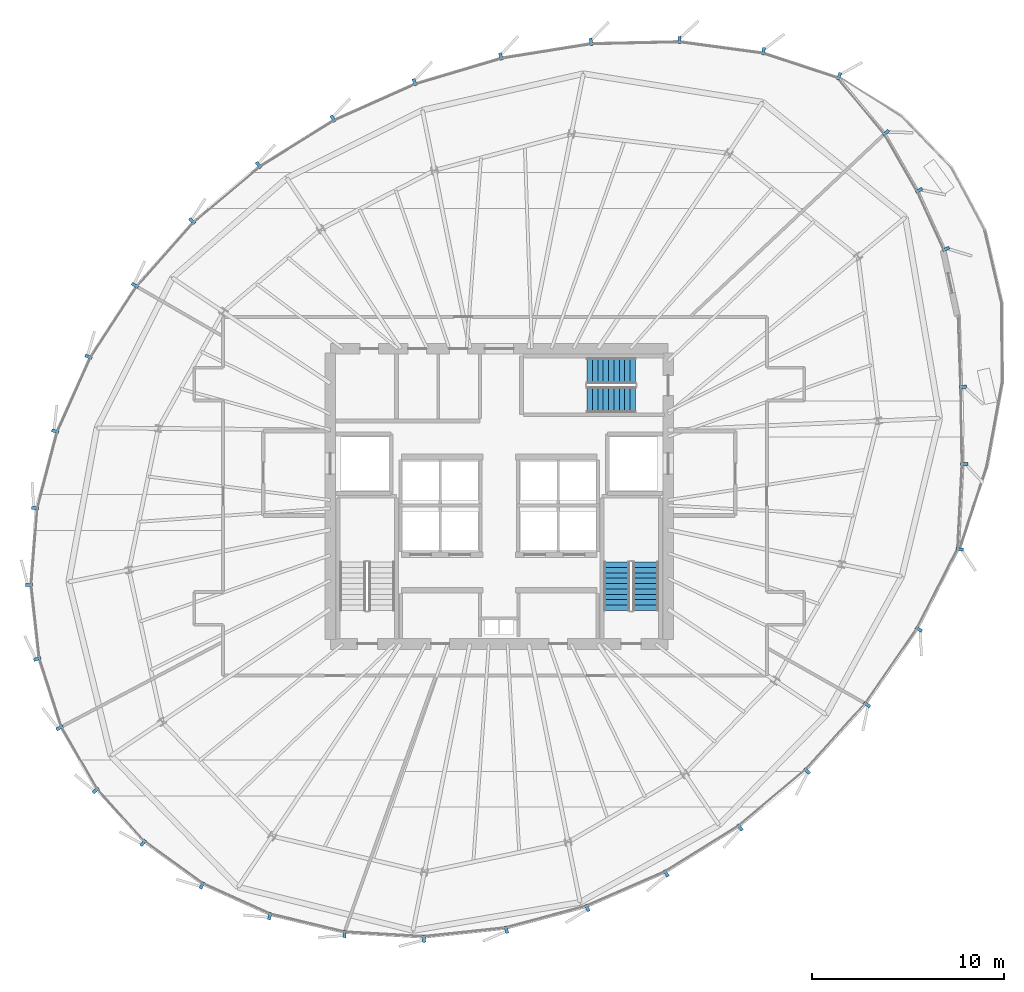
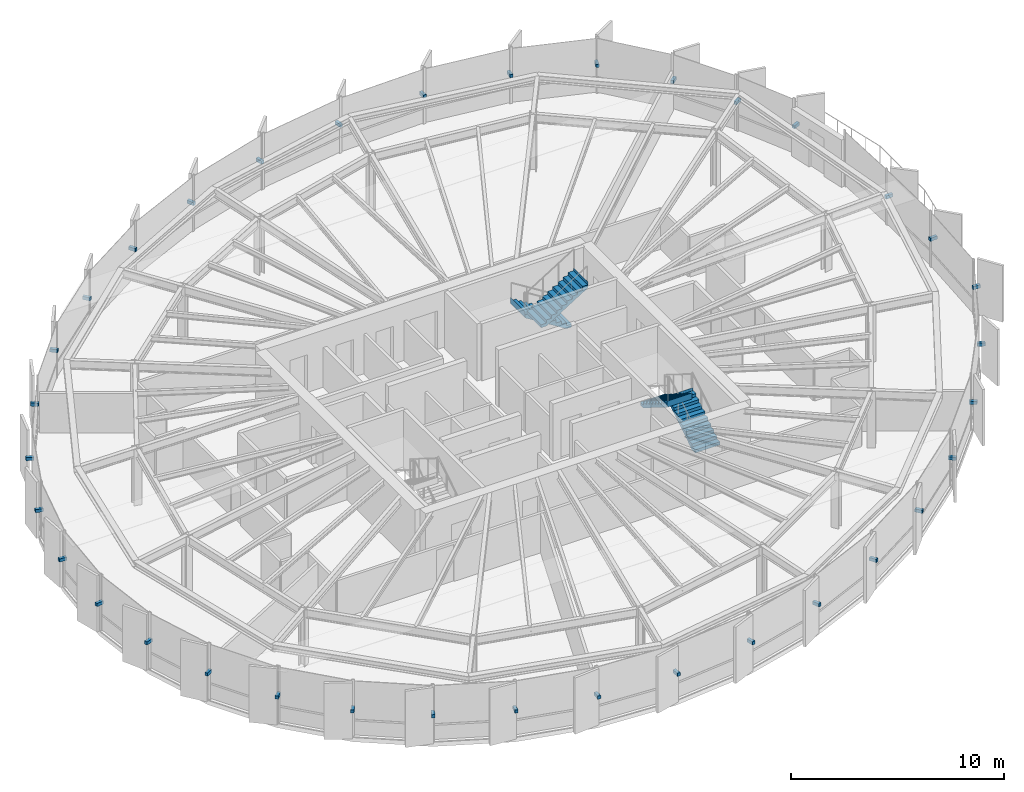
# One storey, part 32 of 35: 35 discrete accessories, 4 stair flights, 2 elements without a shape of their own.
"""IFC4 building model written with IfcOpenShell, lengths in metres."""

from ifc_helpers import new_model, si_unit, direction, frame, origin, origin_2d, place, context, subcontext, project, spatial, polyline, rectangle, outline, extrude, source, transform, mapped, material, type_object, element, aggregate, save


model = new_model("IFC4")

# Units and contexts
model_context = context("Model", 3, precision=1e-05, world=origin(), true_north=direction((0.0, 1.0)))
body_context = subcontext(model_context, "Body", "Model", "MODEL_VIEW")
ifc_project = project(units=[si_unit("LENGTHUNIT", "METRE"), si_unit("AREAUNIT", "SQUARE_METRE"), si_unit("VOLUMEUNIT", "CUBIC_METRE"), si_unit("PLANEANGLEUNIT", "RADIAN"), si_unit("MASSUNIT", "GRAM", prefix="KILO"), si_unit("THERMODYNAMICTEMPERATUREUNIT", "KELVIN")], contexts=[model_context])

# Site, building, storey
site_placement = place(None, origin())
site = spatial("IfcSite", under=ifc_project, at=site_placement, CompositionType="ELEMENT")
building_placement = place(site_placement, origin())
building = spatial("IfcBuilding", under=site, at=building_placement, Name="Kethvar Cultural Tower", CompositionType="ELEMENT")
storey_placement = place(building_placement, frame((0.0, 0.0, 179.89990234375)))
storey = spatial("IfcBuildingStorey", under=building, at=storey_placement, Name="L46", CompositionType="ELEMENT", Elevation=179.89990234375)

# Stair, stair flights
ifc_material_1 = material(Name="Concrete C40/50", Category="concrete")
stair_type = type_object("IfcStairType", Name="ST-DOGLEG-135", PredefinedType="HALF_TURN_STAIR", material=ifc_material_1)
stair_1_placement = place(storey_placement, origin())
stair_1 = element("IfcStair", 1, at=stair_1_placement, inside=storey, type_object=stair_type, Name="L46 Core Exit Stair 2", PredefinedType="HALF_TURN_STAIR")
stair_flight_type = type_object("IfcStairFlightType", Name="FL-STRAIGHT-135", PredefinedType="STRAIGHT", material=ifc_material_1)
stair_flight_1_placement = place(storey_placement, frame((54.43505859375, 21.85009765625, 0.0), z_axis=(0.0, 0.0, 1.0), x_axis=(0.0, 1.0, 0.0)))
stair_flight_1 = element("IfcStairFlight", 2, at=stair_flight_1_placement, type_object=stair_flight_type, Name="ST-02 flight 1", NumberOfRisers=10, NumberOfTreads=9, PredefinedType="STRAIGHT", RiserHeight=0.175, TreadLength=0.28, context=body_context, shape_type="SweptSolid", body=[
    extrude(outline(polyline([(-0.0009765625, -0.0009765625), (-0.0009765625, 0.175048828125), (0.280029296875, 0.175048828125), (0.280029296875, 0.35009765625), (0.56005859375, 0.35009765625), (0.56005859375, 0.52490234375), (0.840087890625, 0.52490234375), (0.840087890625, 0.699951171875), (1.1201171875, 0.699951171875), (1.1201171875, 0.875), (1.39990234375, 0.875), (1.39990234375, 1.050048828125), (1.679931640625, 1.050048828125), (1.679931640625, 1.22509765625), (1.9599609375, 1.22509765625), (1.9599609375, 1.39990234375), (2.239990234375, 1.39990234375), (2.239990234375, 1.574951171875), (2.52001953125, 1.574951171875), (2.52001953125, 1.75), (2.52099609375, 1.75), (2.52099609375, 1.398193359375), (0.28271484375, 0.0), (0.0, -0.0009765625), (-0.0009765625, -0.0009765625)])), frame((0.0, 0.675048828125, 0.0), z_axis=(0.0, -1.0, 0.0), x_axis=(1.0, 0.0, 0.0)), (0.0, 0.0, 1.0), 1.35009765625),
])
stair_flight_2_placement = place(storey_placement, frame((52.925048828125, 24.3701171875, 1.75), z_axis=(0.0, 0.0, 1.0), x_axis=(0.0, -1.0, 0.0)))
stair_flight_2 = element("IfcStairFlight", 3, at=stair_flight_2_placement, type_object=stair_flight_type, Name="ST-02 flight 2", NumberOfRisers=10, NumberOfTreads=9, PredefinedType="STRAIGHT", RiserHeight=0.175, TreadLength=0.28, context=body_context, shape_type="SweptSolid", body=[
    extrude(outline(polyline([(-0.0009765625, -0.0009765625), (-0.0009765625, 0.175048828125), (0.280029296875, 0.175048828125), (0.280029296875, 0.35009765625), (0.56005859375, 0.35009765625), (0.56005859375, 0.52490234375), (0.840087890625, 0.52490234375), (0.840087890625, 0.699951171875), (1.1201171875, 0.699951171875), (1.1201171875, 0.875), (1.39990234375, 0.875), (1.39990234375, 1.050048828125), (1.679931640625, 1.050048828125), (1.679931640625, 1.22509765625), (1.9599609375, 1.22509765625), (1.9599609375, 1.39990234375), (2.239990234375, 1.39990234375), (2.239990234375, 1.574951171875), (2.52001953125, 1.574951171875), (2.52001953125, 1.75), (2.52099609375, 1.75), (2.52099609375, 1.398193359375), (0.28271484375, 0.0), (0.0, -0.0009765625), (-0.0009765625, -0.0009765625)])), frame((0.0, 0.675048828125, 0.0), z_axis=(0.0, -1.0, 0.0), x_axis=(1.0, 0.0, 0.0)), (0.0, 0.0, 1.0), 1.35009765625),
])
aggregate(stair_1, [stair_flight_1, stair_flight_2])

stair_2_placement = place(storey_placement, origin())
stair_2 = element("IfcStair", 4, at=stair_2_placement, inside=storey, type_object=stair_type, Name="L46 Core Exit Stair 3", PredefinedType="HALF_TURN_STAIR")
stair_flight_3_placement = place(storey_placement, frame((53.89990234375, 34.3349609375, 0.0), z_axis=(0.0, 0.0, 1.0), x_axis=(-1.0, 0.0, 0.0)))
stair_flight_3 = element("IfcStairFlight", 5, at=stair_flight_3_placement, type_object=stair_flight_type, Name="ST-03 flight 1", NumberOfRisers=10, NumberOfTreads=9, PredefinedType="STRAIGHT", RiserHeight=0.175, TreadLength=0.28, context=body_context, shape_type="SweptSolid", body=[
    extrude(outline(polyline([(-0.0009765625, -0.0009765625), (-0.0009765625, 0.175048828125), (0.280029296875, 0.175048828125), (0.280029296875, 0.35009765625), (0.56005859375, 0.35009765625), (0.56005859375, 0.52490234375), (0.840087890625, 0.52490234375), (0.840087890625, 0.699951171875), (1.1201171875, 0.699951171875), (1.1201171875, 0.875), (1.39990234375, 0.875), (1.39990234375, 1.050048828125), (1.679931640625, 1.050048828125), (1.679931640625, 1.22509765625), (1.9599609375, 1.22509765625), (1.9599609375, 1.39990234375), (2.239990234375, 1.39990234375), (2.239990234375, 1.574951171875), (2.52001953125, 1.574951171875), (2.52001953125, 1.75), (2.52099609375, 1.75), (2.52099609375, 1.398193359375), (0.28271484375, 0.0), (0.0, -0.0009765625), (-0.0009765625, -0.0009765625)])), frame((0.0, 0.675048828125, 0.0), z_axis=(0.0, -1.0, 0.0), x_axis=(1.0, 0.0, 0.0)), (0.0, 0.0, 1.0), 1.35009765625),
])
stair_flight_4_placement = place(storey_placement, frame((51.3798828125, 32.824951171875, 1.75), z_axis=(0.0, 0.0, 1.0), x_axis=(1.0, 0.0, 0.0)))
stair_flight_4 = element("IfcStairFlight", 6, at=stair_flight_4_placement, type_object=stair_flight_type, Name="ST-03 flight 2", NumberOfRisers=10, NumberOfTreads=9, PredefinedType="STRAIGHT", RiserHeight=0.175, TreadLength=0.28, context=body_context, shape_type="SweptSolid", body=[
    extrude(outline(polyline([(-0.0009765625, -0.0009765625), (-0.0009765625, 0.175048828125), (0.280029296875, 0.175048828125), (0.280029296875, 0.35009765625), (0.56005859375, 0.35009765625), (0.56005859375, 0.52490234375), (0.840087890625, 0.52490234375), (0.840087890625, 0.699951171875), (1.1201171875, 0.699951171875), (1.1201171875, 0.875), (1.39990234375, 0.875), (1.39990234375, 1.050048828125), (1.679931640625, 1.050048828125), (1.679931640625, 1.22509765625), (1.9599609375, 1.22509765625), (1.9599609375, 1.39990234375), (2.239990234375, 1.39990234375), (2.239990234375, 1.574951171875), (2.52001953125, 1.574951171875), (2.52001953125, 1.75), (2.52099609375, 1.75), (2.52099609375, 1.398193359375), (0.28271484375, 0.0), (0.0, -0.0009765625), (-0.0009765625, -0.0009765625)])), frame((0.0, 0.675048828125, 0.0), z_axis=(0.0, -1.0, 0.0), x_axis=(1.0, 0.0, 0.0)), (0.0, 0.0, 1.0), 1.35009765625),
])
aggregate(stair_2, [stair_flight_3, stair_flight_4])

# Discrete accessories
ifc_material_2 = material(Name="Steel S355J2", Category="steel")
discrete_accessory_type = type_object("IfcDiscreteAccessoryType", Name="Steel Fin Bracket BRK-01", PredefinedType="BRACKET", material=ifc_material_2)
shared_shape = source(origin(), body_context, "Body", "SweptSolid", [
    extrude(rectangle(XDim=0.3798828125, YDim=0.159912109375, at=origin_2d()), origin(), (0.0, 0.0, 1.0), 0.179931640625),
])
for number, where, z_axis, x_axis, name in (
    (7, (68.68310546875, 43.74560546875, 1.5400390625), (0.0, 0.0, 1.0), (0.867157637662, 0.498033765367, 0.0), "L46 Terracotta Fin Bracket 1.1"),
    (8, (66.9580078125, 46.748046875, 1.5400390625), (0.0, 0.0, 1.0), (0.77017938275, 0.637827342144, 0.0), "L46 Terracotta Fin Bracket 1.2"),
    (9, (64.5146484375, 49.69677734375, 1.5400390625), (0.0, 0.0, 1.0), (0.31382674518, 0.949480265203, 0.0), "L46 Terracotta Fin Bracket 1.3"),
    (10, (60.571533203125, 50.99951171875, 1.5400390625), (0.0, 0.0, 1.0), (0.133294316036, 0.991076498214, 0.0), "L46 Terracotta Fin Bracket 1.4"),
    (11, (56.197265625, 51.588134765625, 1.5400390625), (0.0, 0.0, 1.0), (-0.021989376093, 0.999758204437, 0.0), "L46 Terracotta Fin Bracket 1.5"),
    (12, (51.583251953125, 51.48681640625, 1.5400390625), (0.0, 0.0, 1.0), (-0.158675054211, 0.987330860032, 0.0), "L46 Terracotta Fin Bracket 1.6"),
    (13, (46.884765625, 50.726318359375, 1.5400390625), (0.0, 0.0, 1.0), (-0.285353832322, 0.958422240132, 0.0), "L46 Terracotta Fin Bracket 2.1"),
    (14, (42.390380859375, 49.38818359375, 1.5400390625), (0.0, 0.0, 1.0), (-0.408011796273, 0.912976655837, 0.0), "L46 Terracotta Fin Bracket 2.2"),
    (15, (38.134033203125, 47.485595703125, 1.5400390625), (0.0, 0.0, 1.0), (-0.528882782801, 0.848694881602, 0.0), "L46 Terracotta Fin Bracket 2.3"),
    (16, (34.25390625, 45.067138671875, 1.5400390625), (0.0, 0.0, 1.0), (-0.644123629761, 0.764921400918, 0.0), "L46 Terracotta Fin Bracket 2.4"),
    (17, (30.787353515625, 42.147705078125, 1.5400390625), (0.0, 0.0, 1.0), (-0.747682202125, 0.664056717928, 0.0), "L46 Terracotta Fin Bracket 2.5"),
    (18, (27.807373046875, 38.79248046875, 1.5400390625), (0.0, 0.0, 1.0), (-0.837909291125, 0.545809508754, 0.0), "L46 Terracotta Fin Bracket 2.6"),
    (19, (25.38818359375, 35.0673828125, 1.5400390625), (0.0, 0.0, 1.0), (-0.912548886365, 0.408967639299, 0.0), "L46 Terracotta Fin Bracket 3.1"),
    (20, (23.651123046875, 31.191650390625, 1.5400390625), (0.0, 0.0, 1.0), (-0.96744467351, 0.253082602519, 0.0), "L46 Terracotta Fin Bracket 3.2"),
    (21, (22.6015625, 27.177001953125, 1.5400390625), (0.0, 0.0, 1.0), (-0.996917333733, 0.078459095728, 0.0), "L46 Terracotta Fin Bracket 3.3"),
    (22, (22.286865234375, 23.181396484375, 1.5400390625), (0.0, 0.0, 1.0), (-0.993826147931, -0.110948581284, 0.0), "L46 Terracotta Fin Bracket 3.4"),
    (23, (22.71728515625, 19.325927734375, 1.5400390625), (0.0, 0.0, 1.0), (-0.951594403879, -0.3073566178, 0.0), "L46 Terracotta Fin Bracket 3.5"),
    (24, (23.8798828125, 15.727783203125, 1.5400390625), (0.0, 0.0, 1.0), (-0.866809733209, -0.498639034186, 0.0), "L46 Terracotta Fin Bracket 3.6"),
    (25, (25.764892578125, 12.4677734375, 1.5400390625), (0.0, 0.0, 1.0), (-0.742092841193, -0.670297109534, 0.0), "L46 Terracotta Fin Bracket 4.1"),
    (26, (28.237548828125, 9.730712890625, 1.5400390625), (0.0, 0.0, 1.0), (-0.586372356736, -0.810041640446, 0.0), "L46 Terracotta Fin Bracket 4.2"),
    (27, (31.300537109375, 7.513671875, 1.5400390625), (0.0, 0.0, 1.0), (-0.412627540369, -0.910899836935, 0.0), "L46 Terracotta Fin Bracket 4.3"),
    (28, (34.834228515625, 5.913330078125, 1.5400390625), (0.0, 0.0, 1.0), (-0.233445363856, -0.972369920398, 0.0), "L46 Terracotta Fin Bracket 4.4"),
    (29, (38.731689453125, 4.97802734375, 1.5400390625), (0.0, 0.0, 1.0), (-0.058260986945, -0.998301386055, 0.0), "L46 Terracotta Fin Bracket 4.5"),
    (30, (42.873779296875, 4.736083984375, 1.5400390625), (0.0, 0.0, 1.0), (0.106958224224, -0.994263515508, 0.0), "L46 Terracotta Fin Bracket 4.6"),
    (31, (47.173095703125, 5.205078125, 1.5400390625), (0.0, 0.0, 1.0), (0.260167479254, -0.965563505285, 0.0), "L46 Terracotta Fin Bracket 5.1"),
    (32, (51.38671875, 6.340576171875, 1.5400390625), (0.0, 0.0, 1.0), (0.400508961926, -0.916292841518, 0.0), "L46 Terracotta Fin Bracket 5.2"),
    (33, (55.49853515625, 8.137939453125, 1.5400390625), (0.0, 0.0, 1.0), (0.528438334722, -0.848971687629, 0.0), "L46 Terracotta Fin Bracket 5.3"),
    (34, (59.34619140625, 10.532958984375, 1.5400390625), (0.0, 0.0, 1.0), (0.643723029576, -0.765258558393, 0.0), "L46 Terracotta Fin Bracket 5.4"),
    (35, (62.84521484375, 13.475830078125, 1.5400390625), (0.0, 0.0, 1.0), (0.742209818805, -0.670167579691, 0.0), "L46 Terracotta Fin Bracket 5.5"),
    (36, (65.9697265625, 16.93603515625, 1.5400390625), (0.0, 0.0, 1.0), (0.823334533242, -0.567556381667, 0.0), "L46 Terracotta Fin Bracket 5.6"),
    (37, (68.6708984375, 20.86376953125, 1.5400390625), (0.0, 0.0, 1.0), (0.889974159838, -0.456010959102, 0.0), "L46 Terracotta Fin Bracket 6.1"),
    (38, (70.806640625, 25.033447265625, 1.5400390625), (0.0, 0.0, 1.0), (0.998638653892, -0.052161661713, 0.0), "L46 Terracotta Fin Bracket 6.2"),
    (39, (71.038818359375, 29.47998046875, 1.5400390625), (0.0, 0.0, 1.0), (0.999853726281, 0.017103392695, 0.0), "L46 Terracotta Fin Bracket 6.3"),
    (40, (70.9697265625, 33.504638671875, 1.5400390625), (0.0, 0.0, 1.0), (0.999396902909, 0.034725069567, 0.0), "L46 Terracotta Fin Bracket 6.4"),
    (41, (70.083984375, 40.68701171875, 1.5400390625), (0.0, 0.0, 1.0), (0.909599036311, 0.415487175664, 0.0), "L46 Terracotta Fin Bracket 7.1"),
):
    element("IfcDiscreteAccessory", number, at=place(storey_placement, frame(where, z_axis=z_axis, x_axis=x_axis)), inside=storey, type_object=discrete_accessory_type, Name=name, PredefinedType="BRACKET", context=body_context, shape_type="MappedRepresentation", body=[
        mapped(shared_shape, transform((0.0, 0.0, 0.0), scale=1.0)),
    ])

save(model, "model.ifc")
